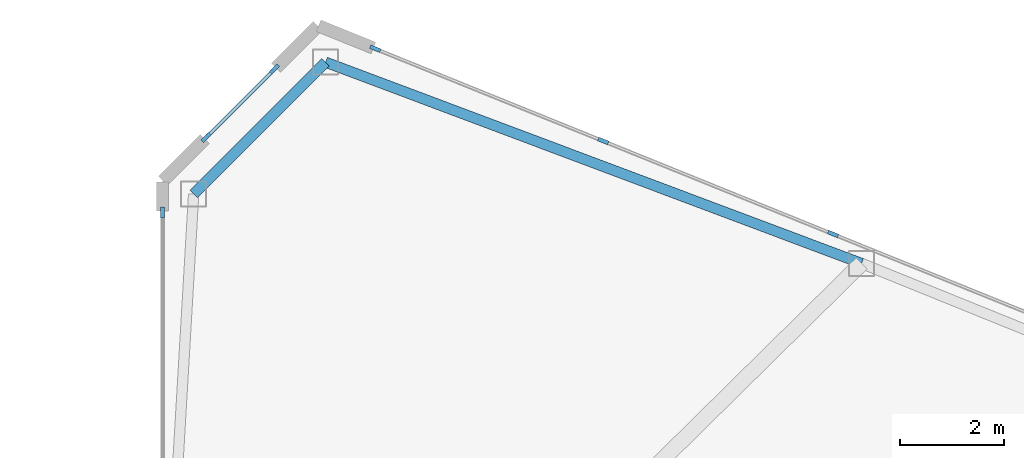
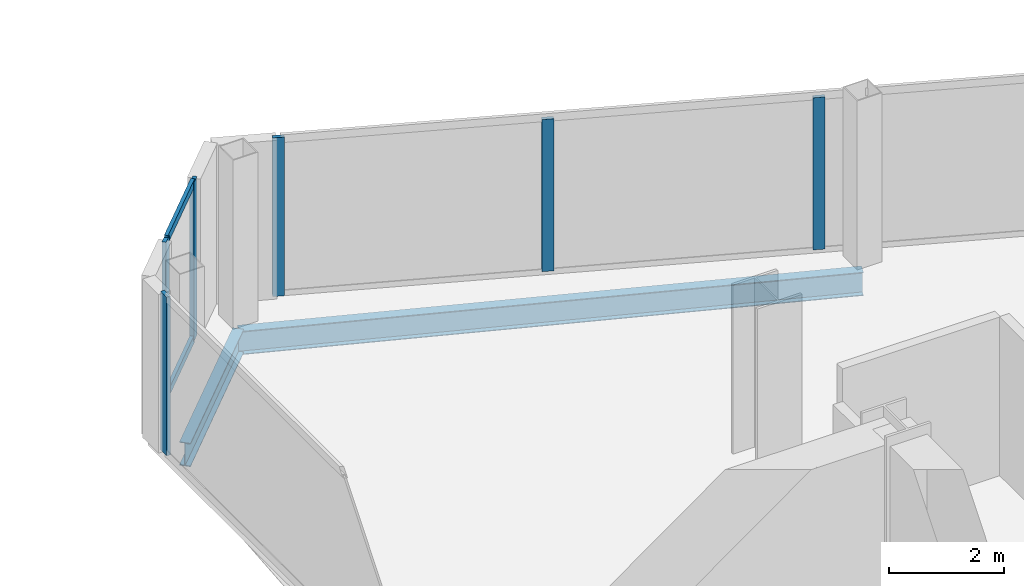
# One storey, part 13 of 25: 8 members, 2 beams, 3 elements without a shape of their own.
"""IFC4 building model written with IfcOpenShell, lengths in metres."""

from ifc_helpers import new_model, si_unit, direction, frame, origin, origin_2d, place, context, subcontext, project, spatial, rectangle, i_section, extrude, source, transform, mapped, material, layer, layer_set, material_profile, profile_set, type_object, type_shapes, element, aggregate, save


model = new_model("IFC4")

# Units and contexts
model_context = context("Model", 3, precision=1e-05, world=origin(), true_north=direction((0.0, 1.0)))
body_context = subcontext(model_context, "Body", "Model", "MODEL_VIEW")
ifc_project = project(units=[si_unit("LENGTHUNIT", "METRE"), si_unit("AREAUNIT", "SQUARE_METRE"), si_unit("VOLUMEUNIT", "CUBIC_METRE"), si_unit("PLANEANGLEUNIT", "RADIAN"), si_unit("MASSUNIT", "GRAM", prefix="KILO")], contexts=[model_context])

# Site, building, storey
site_placement = place(None, origin())
site = spatial("IfcSite", under=ifc_project, at=site_placement, CompositionType="ELEMENT")
building_placement = place(site_placement, origin())
building = spatial("IfcBuilding", under=site, at=building_placement, Name="Seokmaru Belvedere", CompositionType="ELEMENT")
storey_placement = place(building_placement, frame((0.0, 0.0, 51.300048828125)))
storey = spatial("IfcBuildingStorey", under=building, at=storey_placement, Name="L13", CompositionType="ELEMENT", Elevation=51.300048828125)

# Beams
ifc_material_1 = material(Name="Steel SM355 (355 MPa)", Category="steel")
ifc_material_profile_1 = material_profile(ifc_material_1, i_section(OverallWidth=0.199951171875, OverallDepth=0.5, WebThickness=0.010009765625, FlangeThickness=0.01611328125, at=origin_2d()), Name="H-500x200x10x16")
ifc_profile_set_1 = profile_set([ifc_material_profile_1], Name="Steel SM355 (355 MPa)")
beam_type = type_object("IfcBeamType", Name="Perimeter Spandrel Beam H-500", PredefinedType="SPANDREL", material=ifc_profile_set_1)
shared_shape_1 = source(origin(), body_context, "Body", "SweptSolid", [
    extrude(i_section(OverallWidth=0.199951171875, OverallDepth=0.5, WebThickness=0.010009765625, FlangeThickness=0.01611328125, at=origin_2d()), origin(), (0.0, 0.0, 1.0), 11.03857421875),
])
beam_1_placement = place(storey_placement, frame((30.643310546875, 26.294677734375, -0.469970703125), z_axis=(0.936169110734, -0.351549990907, 0.0), x_axis=(0.351549990907, 0.936169110734, 0.0)))
element("IfcBeam", 1, at=beam_1_placement, inside=storey, type_object=beam_type, Name="L13 E Faceted Flank Spandrel N-1", PredefinedType="SPANDREL", context=body_context, shape_type="MappedRepresentation", body=[
    mapped(shared_shape_1, transform((0.0, 0.0, 0.0), scale=1.0)),
])
shared_shape_2 = source(origin(), body_context, "Body", "SweptSolid", [
    extrude(i_section(OverallWidth=0.199951171875, OverallDepth=0.5, WebThickness=0.010009765625, FlangeThickness=0.01611328125, at=origin_2d()), origin(), (0.0, 0.0, 1.0), 3.5966796875),
])
type_shapes(beam_type, [shared_shape_1, shared_shape_2])
beam_2_placement = place(storey_placement, frame((30.643310546875, 26.294677734375, -0.469970703125), z_axis=(-0.707106781187, -0.707106781187, 0.0), x_axis=(0.707106781187, -0.707106781187, 0.0)))
element("IfcBeam", 2, at=beam_2_placement, inside=storey, type_object=beam_type, Name="L13 E Shoulder Chamfer Spandrel N", PredefinedType="SPANDREL", context=body_context, shape_type="MappedRepresentation", body=[
    mapped(shared_shape_2, transform((0.0, 0.0, 0.0), scale=1.0)),
])

# Curtain wall, members
ifc_material_2 = material(Name="Bronze Triple Insulating Glass", Category="glass")
ifc_layer = layer(ifc_material_2, 0.2099609375)
ifc_layer_set = layer_set([ifc_layer], Name="Bronze Triple Insulating Glass")
curtain_wall_type = type_object("IfcCurtainWallType", Name="Low-Rise Faceted Crystal Curtain Wall System CW-2", PredefinedType="NOTDEFINED", material=ifc_layer_set)
curtain_wall_1_placement = place(storey_placement, origin())
curtain_wall_1 = element("IfcCurtainWall", 3, at=curtain_wall_1_placement, inside=storey, type_object=curtain_wall_type, Name="L13 Curtain Wall EF4", PredefinedType="NOTDEFINED")
ifc_material_3 = material(Name="Anodised Bronze Aluminium", Category="aluminium")
ifc_material_profile_2 = material_profile(ifc_material_3, rectangle(XDim=0.070068359375, YDim=0.1650390625, at=origin_2d()), Name="CW-T-70x165")
ifc_profile_set_2 = profile_set([ifc_material_profile_2], Name="Anodised Bronze Aluminium")
member_type_1 = type_object("IfcMemberType", Name="Bronze Unitised Transom 70x165", PredefinedType="USERDEFINED", material=ifc_profile_set_2)
shared_shape_3 = source(origin(), body_context, "Body", "SweptSolid", [
    extrude(rectangle(XDim=0.070068359375, YDim=0.1650390625, at=origin_2d()), origin(), (0.0, 0.0, 1.0), 1.792724609375),
])
type_shapes(member_type_1, [shared_shape_3])
member_1_placement = place(storey_placement, frame((29.6337890625, 26.1337890625, 0.034912109375), z_axis=(-0.707106781187, -0.707106781187, 0.0), x_axis=(0.707106781187, -0.707106781187, 0.0)))
member_1 = element("IfcMember", 4, at=member_1_placement, type_object=member_type_1, Name="CW:L13:EF4 Continuous Transom 1", ObjectType="TRANSOM", PredefinedType="USERDEFINED", context=body_context, shape_type="MappedRepresentation", body=[
    mapped(shared_shape_3, transform((0.0, 0.0, 0.0), scale=1.0)),
])
member_2_placement = place(storey_placement, frame((29.6337890625, 26.1337890625, 3.344970703125), z_axis=(-0.707106781187, -0.707106781187, 0.0), x_axis=(0.707106781187, -0.707106781187, 0.0)))
member_2 = element("IfcMember", 5, at=member_2_placement, type_object=member_type_1, Name="CW:L13:EF4 Continuous Transom 2", ObjectType="TRANSOM", PredefinedType="USERDEFINED", context=body_context, shape_type="MappedRepresentation", body=[
    mapped(shared_shape_3, transform((0.0, 0.0, 0.0), scale=1.0)),
])

curtain_wall_2_placement = place(storey_placement, origin())
curtain_wall_2 = element("IfcCurtainWall", 6, at=curtain_wall_2_placement, inside=storey, type_object=curtain_wall_type, Name="L13 Curtain Wall EF3", PredefinedType="NOTDEFINED")
ifc_material_profile_3 = material_profile(ifc_material_3, rectangle(XDim=0.074951171875, YDim=0.2099609375, at=origin_2d()), Name="CW-M-75x210")
ifc_profile_set_3 = profile_set([ifc_material_profile_3], Name="Anodised Bronze Aluminium")
member_type_2 = type_object("IfcMemberType", Name="Bronze Unitised Mullion 75x210", PredefinedType="MULLION", material=ifc_profile_set_3)
shared_shape_4 = source(origin(), body_context, "Body", "SweptSolid", [
    extrude(rectangle(XDim=0.074951171875, YDim=0.2099609375, at=origin_2d()), origin(), (0.0, 0.0, 1.0), 3.239990234375),
])
member_3_placement = place(storey_placement, frame((40.425537109375, 22.982421875, 0.070068359375), z_axis=(0.0, 0.0, 1.0), x_axis=(-0.375192321888, -0.926946989637, 0.0)))
member_3 = element("IfcMember", 7, at=member_3_placement, type_object=member_type_2, Name="CW:L13:EF3 Mullion 8", PredefinedType="MULLION", context=body_context, shape_type="MappedRepresentation", body=[
    mapped(shared_shape_4, transform((0.0, 0.0, 0.0), scale=1.0)),
])
member_4_placement = place(storey_placement, frame((35.995849609375, 24.775390625, 0.070068359375), z_axis=(0.0, 0.0, 1.0), x_axis=(-0.375192321888, -0.926946989637, 0.0)))
member_4 = element("IfcMember", 8, at=member_4_placement, type_object=member_type_2, Name="CW:L13:EF3 Mullion 9", PredefinedType="MULLION", context=body_context, shape_type="MappedRepresentation", body=[
    mapped(shared_shape_4, transform((0.0, 0.0, 0.0), scale=1.0)),
])
shared_shape_5 = source(origin(), body_context, "Body", "SweptSolid", [
    extrude(rectangle(XDim=0.074951171875, YDim=0.2099609375, at=origin_2d()), origin(), (0.0, 0.0, 1.0), 3.3798828125),
])
type_shapes(member_type_2, [shared_shape_4, shared_shape_5])
member_5_placement = place(storey_placement, frame((31.600830078125, 26.554443359375, 0.0), z_axis=(0.0, 0.0, 1.0), x_axis=(-0.375192321888, -0.926946989637, 0.0)))
member_5 = element("IfcMember", 9, at=member_5_placement, type_object=member_type_2, Name="CW:L13:EF3 Mullion 10", PredefinedType="MULLION", context=body_context, shape_type="MappedRepresentation", body=[
    mapped(shared_shape_5, transform((0.0, 0.0, 0.0), scale=1.0)),
])
aggregate(curtain_wall_2, [member_3, member_4, member_5])

# Member
member_6_placement = place(storey_placement, frame((29.660400390625, 26.160400390625, 0.0), z_axis=(0.0, 0.0, 1.0), x_axis=(0.707106781187, -0.707106781187, 0.0)))
member_6 = element("IfcMember", 10, at=member_6_placement, type_object=member_type_2, Name="CW:L13:EF4 Mullion 1", PredefinedType="MULLION", context=body_context, shape_type="MappedRepresentation", body=[
    mapped(shared_shape_5, transform((0.0, 0.0, 0.0), scale=1.0)),
])

member_7_placement = place(storey_placement, frame((28.339599609375, 24.839599609375, 0.0), z_axis=(0.0, 0.0, 1.0), x_axis=(0.707106781187, -0.707106781187, 0.0)))
member_7 = element("IfcMember", 11, at=member_7_placement, type_object=member_type_2, Name="CW:L13:EF4 Mullion 2", PredefinedType="MULLION", context=body_context, shape_type="MappedRepresentation", body=[
    mapped(shared_shape_5, transform((0.0, 0.0, 0.0), scale=1.0)),
])

aggregate(curtain_wall_1, [member_6, member_7, member_1, member_2])

# Curtain wall, member
curtain_wall_3_placement = place(storey_placement, origin())
curtain_wall_3 = element("IfcCurtainWall", 12, at=curtain_wall_3_placement, inside=storey, type_object=curtain_wall_type, Name="L13 Curtain Wall ESP_2", PredefinedType="NOTDEFINED")
member_8_placement = place(storey_placement, frame((27.5, 23.392578125, 0.0), z_axis=(0.0, 0.0, 1.0), x_axis=(1.0, 0.0, 0.0)))
member_8 = element("IfcMember", 13, at=member_8_placement, type_object=member_type_2, Name="CW:L13:ESP_2 Mullion 1", PredefinedType="MULLION", context=body_context, shape_type="MappedRepresentation", body=[
    mapped(shared_shape_5, transform((0.0, 0.0, 0.0), scale=1.0)),
])
aggregate(curtain_wall_3, [member_8])

save(model, "model.ifc")
